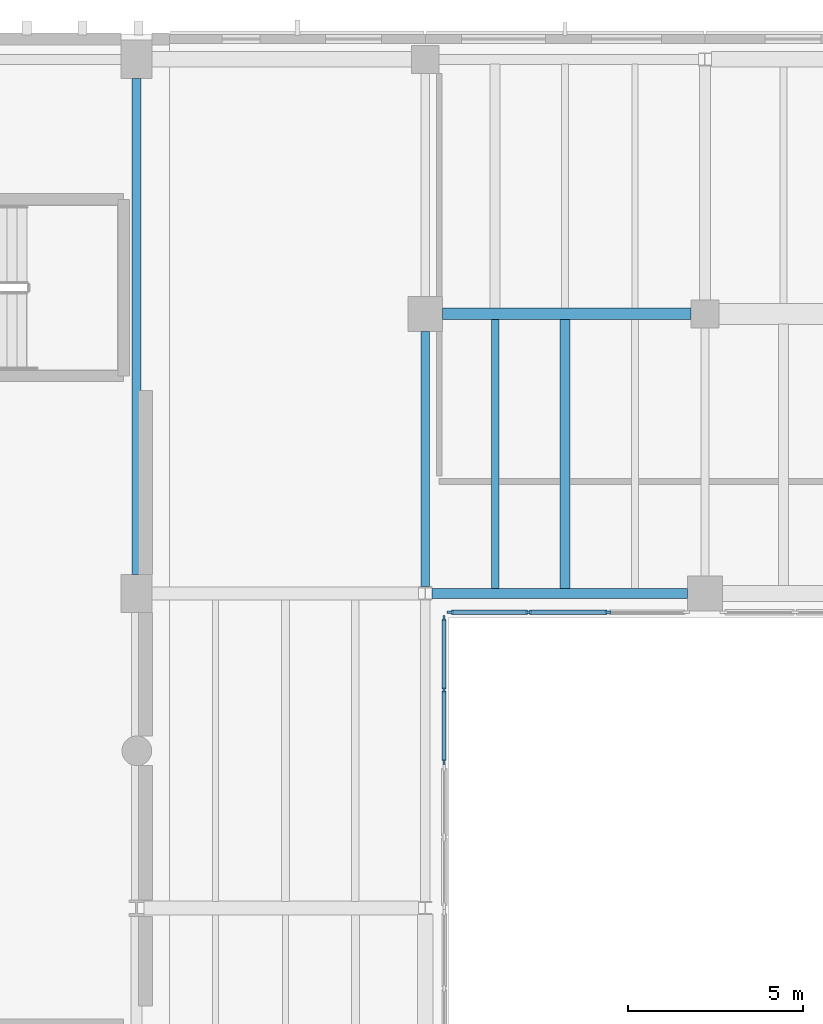
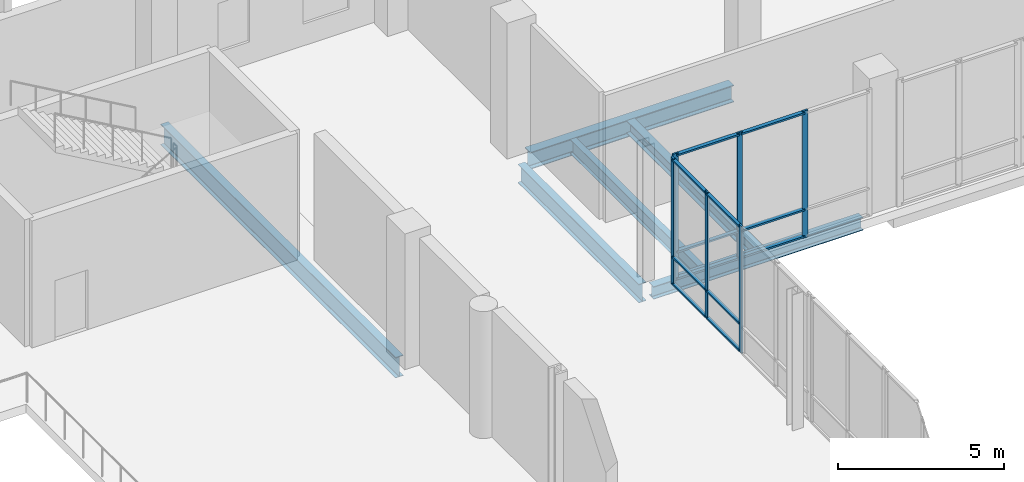
# One storey, part 40 of 81: 18 members, 6 beams, 2 elements without a shape of their own.
"""IFC4 building model written with IfcOpenShell, lengths in metres."""

from ifc_helpers import new_model, si_unit, direction, frame, origin, origin_2d, place, context, subcontext, project, spatial, rectangle, i_section, extrude, material, material_profile, profile_set, type_object, element, aggregate, save


model = new_model("IFC4")

# Units and contexts
model_context = context("Model", 3, precision=1e-05, world=origin(), true_north=direction((0.0, 1.0)))
body_context = subcontext(model_context, "Body", "Model", "MODEL_VIEW")
ifc_project = project(units=[si_unit("LENGTHUNIT", "METRE"), si_unit("AREAUNIT", "SQUARE_METRE"), si_unit("VOLUMEUNIT", "CUBIC_METRE"), si_unit("PLANEANGLEUNIT", "RADIAN"), si_unit("MASSUNIT", "GRAM", prefix="KILO")], contexts=[model_context])

# Site, building, storey
site_placement = place(None, origin())
site = spatial("IfcSite", under=ifc_project, at=site_placement, CompositionType="ELEMENT")
building_placement = place(site_placement, origin())
building = spatial("IfcBuilding", under=site, at=building_placement, Name="Trimount Lyric Opera House", CompositionType="ELEMENT")
storey_placement = place(building_placement, frame((0.0, 0.0, 5.0)))
storey = spatial("IfcBuildingStorey", under=building, at=storey_placement, Name="L01", CompositionType="ELEMENT", Elevation=5.0)

# Beams
ifc_material_1 = material(Name="Steel ASTM A992 Grade 50", Category="steel")
ifc_material_profile_1 = material_profile(ifc_material_1, i_section(OverallWidth=0.26708984375, OverallDepth=0.761962890625, WebThickness=0.014404296875, FlangeThickness=0.021484375, FilletRadius=0.01708984375, at=origin_2d()), Name="W30X116")
ifc_profile_set_1 = profile_set([ifc_material_profile_1], Name="Steel ASTM A992 Grade 50")
beam_type_1 = type_object("IfcBeamType", Name="B-07", PredefinedType="BEAM", material=ifc_profile_set_1)
beam_1_placement = place(storey_placement, frame((113.739990234375, 102.550048828125, -0.7060546875), z_axis=(0.0, 1.0, 0.0), x_axis=(-1.0, 0.0, 0.0)))
element("IfcBeam", 1, at=beam_1_placement, inside=storey, type_object=beam_type_1, Name="L01 girder Y-0669", PredefinedType="BEAM", context=body_context, shape_type="SweptSolid", body=[
    extrude(i_section(OverallWidth=0.26708984375, OverallDepth=0.761962890625, WebThickness=0.014404296875, FlangeThickness=0.021484375, FilletRadius=0.01708984375, at=origin_2d()), origin(), (0.0, 0.0, 1.0), 14.179931640625),
])
ifc_material_2 = material(Name="Steel ASTM A992 Grade 50", Category="steel")
ifc_material_profile_2 = material_profile(ifc_material_2, i_section(OverallWidth=0.25390625, OverallDepth=0.68798828125, WebThickness=0.01318359375, FlangeThickness=0.02099609375, FilletRadius=0.01611328125, at=origin_2d()), Name="W27X102")
ifc_profile_set_2 = profile_set([ifc_material_profile_2], Name="Steel ASTM A992 Grade 50")
beam_type_2 = type_object("IfcBeamType", Name="B-09", PredefinedType="BEAM", material=ifc_profile_set_2)
beam_2_placement = place(storey_placement, frame((122.0, 102.193115234375, -0.654052734375), z_axis=(0.0, 1.0, 0.0), x_axis=(-1.0, 0.0, 0.0)))
element("IfcBeam", 2, at=beam_2_placement, inside=storey, type_object=beam_type_2, Name="L01 girder Y-0676", PredefinedType="BEAM", context=body_context, shape_type="SweptSolid", body=[
    extrude(i_section(OverallWidth=0.25390625, OverallDepth=0.68798828125, WebThickness=0.01318359375, FlangeThickness=0.02099609375, FilletRadius=0.01611328125, at=origin_2d()), origin(), (0.0, 0.0, 1.0), 7.306884765625),
])
ifc_material_3 = material(Name="Steel ASTM A992 Grade 50", Category="steel")
ifc_material_profile_3 = material_profile(ifc_material_3, i_section(OverallWidth=0.327880859375, OverallDepth=0.626953125, WebThickness=0.0166015625, FlangeThickness=0.027587890625, FilletRadius=0.01611328125, at=origin_2d()), Name="W24X146")
ifc_profile_set_3 = profile_set([ifc_material_profile_3], Name="Steel ASTM A992 Grade 50")
beam_type_3 = type_object("IfcBeamType", Name="B-10", PredefinedType="BEAM", material=ifc_profile_set_3)
beam_3_placement = place(storey_placement, frame((122.5, 110.0, -0.62353515625), z_axis=(1.0, 0.0, 0.0), x_axis=(0.0, 1.0, 0.0)))
element("IfcBeam", 3, at=beam_3_placement, inside=storey, type_object=beam_type_3, Name="L01 girder X-0569", PredefinedType="BEAM", context=body_context, shape_type="SweptSolid", body=[
    extrude(i_section(OverallWidth=0.327880859375, OverallDepth=0.626953125, WebThickness=0.0166015625, FlangeThickness=0.027587890625, FilletRadius=0.01611328125, at=origin_2d()), origin(), (0.0, 0.0, 1.0), 7.10009765625),
])
ifc_material_4 = material(Name="Steel ASTM A992 Grade 50", Category="steel")
ifc_material_profile_4 = material_profile(ifc_material_4, i_section(OverallWidth=0.2099609375, OverallDepth=0.532958984375, WebThickness=0.01025390625, FlangeThickness=0.015625, FilletRadius=0.012939453125, at=origin_2d()), Name="W21X62")
ifc_profile_set_4 = profile_set([ifc_material_profile_4], Name="Steel ASTM A992 Grade 50")
beam_type_4 = type_object("IfcBeamType", Name="J-02", PredefinedType="BEAM", material=ifc_profile_set_4)
beam_4_placement = place(storey_placement, frame((124.0, 102.136962890625, -0.576416015625), z_axis=(0.0, 1.0, 0.0), x_axis=(-1.0, 0.0, 0.0)))
element("IfcBeam", 4, at=beam_4_placement, inside=storey, type_object=beam_type_4, Name="L01 composite floor joist 0716", PredefinedType="BEAM", context=body_context, shape_type="SweptSolid", body=[
    extrude(i_section(OverallWidth=0.2099609375, OverallDepth=0.532958984375, WebThickness=0.01025390625, FlangeThickness=0.015625, FilletRadius=0.012939453125, at=origin_2d()), origin(), (0.0, 0.0, 1.0), 7.703125),
])
ifc_material_5 = material(Name="Steel ASTM A992 Grade 50", Category="steel")
ifc_material_profile_5 = material_profile(ifc_material_5, i_section(OverallWidth=0.281982421875, OverallDepth=0.467041015625, WebThickness=0.01220703125, FlangeThickness=0.01953125, FilletRadius=0.012939453125, at=origin_2d()), Name="W18X86")
ifc_profile_set_5 = profile_set([ifc_material_profile_5], Name="Steel ASTM A992 Grade 50")
beam_type_5 = type_object("IfcBeamType", Name="J-03", PredefinedType="BEAM", material=ifc_profile_set_5)
beam_5_placement = place(storey_placement, frame((126.0, 102.136962890625, -0.54345703125), z_axis=(0.0, 1.0, 0.0), x_axis=(-1.0, 0.0, 0.0)))
element("IfcBeam", 5, at=beam_5_placement, inside=storey, type_object=beam_type_5, Name="L01 composite floor joist 0717", PredefinedType="BEAM", context=body_context, shape_type="SweptSolid", body=[
    extrude(i_section(OverallWidth=0.281982421875, OverallDepth=0.467041015625, WebThickness=0.01220703125, FlangeThickness=0.01953125, FilletRadius=0.012939453125, at=origin_2d()), origin(), (0.0, 0.0, 1.0), 7.703125),
])

# Curtain wall, members
ifc_material_6 = material(Name="Thermally Broken Aluminium and Low-E Glass", Category="aluminium")
curtain_wall_type = type_object("IfcCurtainWallType", Name="CW-03", PredefinedType="NOTDEFINED", material=ifc_material_6)
curtain_wall_1_placement = place(storey_placement, origin())
curtain_wall_1 = element("IfcCurtainWall", 6, at=curtain_wall_1_placement, inside=storey, type_object=curtain_wall_type, Name="L01 curtain wall 136", PredefinedType="NOTDEFINED")
ifc_material_7 = material(Name="Anodised Aluminium 6063-T6", Category="aluminium")
ifc_material_profile_6 = material_profile(ifc_material_7, rectangle(XDim=0.06494140625, YDim=0.179931640625, at=origin_2d()), Name="ALU-MULL-65X180")
ifc_profile_set_6 = profile_set([ifc_material_profile_6], Name="Anodised Aluminium 6063-T6")
member_type_1 = type_object("IfcMemberType", Name="ML-02", PredefinedType="MULLION", material=ifc_profile_set_6)
member_1_placement = place(storey_placement, frame((127.2265625, 101.4599609375, 0.0), z_axis=(0.0, 0.0, 1.0), x_axis=(0.0, -1.0, 0.0)))
member_1 = element("IfcMember", 7, at=member_1_placement, type_object=member_type_1, Name="CW-03 mullion 2", PredefinedType="MULLION", context=body_context, shape_type="SweptSolid", body=[
    extrude(rectangle(XDim=0.06494140625, YDim=0.179931640625, at=origin_2d()), origin(), (0.0, 0.0, 1.0), 4.679931640625),
])
member_2_placement = place(storey_placement, frame((124.953369140625, 101.4599609375, 0.0), z_axis=(0.0, 0.0, 1.0), x_axis=(0.0, -1.0, 0.0)))
member_2 = element("IfcMember", 8, at=member_2_placement, type_object=member_type_1, Name="CW-03 mullion 3", PredefinedType="MULLION", context=body_context, shape_type="SweptSolid", body=[
    extrude(rectangle(XDim=0.06494140625, YDim=0.179931640625, at=origin_2d()), origin(), (0.0, 0.0, 1.0), 4.679931640625),
])
member_3_placement = place(storey_placement, frame((122.71240234375, 101.4599609375, 0.0), z_axis=(0.0, 0.0, 1.0), x_axis=(0.0, -1.0, 0.0)))
member_3 = element("IfcMember", 9, at=member_3_placement, type_object=member_type_1, Name="CW-03 mullion 4", PredefinedType="MULLION", context=body_context, shape_type="SweptSolid", body=[
    extrude(rectangle(XDim=0.06494140625, YDim=0.179931640625, at=origin_2d()), origin(), (0.0, 0.0, 1.0), 4.679931640625),
])

curtain_wall_2_placement = place(storey_placement, origin())
curtain_wall_2 = element("IfcCurtainWall", 10, at=curtain_wall_2_placement, inside=storey, type_object=curtain_wall_type, Name="L01 curtain wall 137", PredefinedType="NOTDEFINED")
ifc_material_8 = material(Name="Anodised Aluminium 6063-T6", Category="aluminium")
ifc_material_profile_7 = material_profile(ifc_material_8, rectangle(XDim=0.06005859375, YDim=0.14990234375, at=origin_2d()), Name="ALU-MULL-60X150")
ifc_profile_set_7 = profile_set([ifc_material_profile_7], Name="Anodised Aluminium 6063-T6")
member_type_2 = type_object("IfcMemberType", Name="ML-03", PredefinedType="MULLION", material=ifc_profile_set_7)
member_4_placement = place(storey_placement, frame((122.5400390625, 101.2900390625, 0.0), z_axis=(0.0, 0.0, 1.0), x_axis=(1.0, 0.0, 0.0)))
member_4 = element("IfcMember", 11, at=member_4_placement, type_object=member_type_2, Name="CW-03 mullion 1", PredefinedType="MULLION", context=body_context, shape_type="SweptSolid", body=[
    extrude(rectangle(XDim=0.06005859375, YDim=0.14990234375, at=origin_2d()), origin(), (0.0, 0.0, 1.0), 4.679931640625),
])
member_5_placement = place(storey_placement, frame((122.5400390625, 99.239990234375, 0.0), z_axis=(0.0, 0.0, 1.0), x_axis=(1.0, 0.0, 0.0)))
member_5 = element("IfcMember", 12, at=member_5_placement, type_object=member_type_2, Name="CW-03 mullion 2", PredefinedType="MULLION", context=body_context, shape_type="SweptSolid", body=[
    extrude(rectangle(XDim=0.06005859375, YDim=0.14990234375, at=origin_2d()), origin(), (0.0, 0.0, 1.0), 4.679931640625),
])
member_6_placement = place(storey_placement, frame((122.5400390625, 97.18994140625, 0.0), z_axis=(0.0, 0.0, 1.0), x_axis=(1.0, 0.0, 0.0)))
member_6 = element("IfcMember", 13, at=member_6_placement, type_object=member_type_2, Name="CW-03 mullion 3", PredefinedType="MULLION", context=body_context, shape_type="SweptSolid", body=[
    extrude(rectangle(XDim=0.06005859375, YDim=0.14990234375, at=origin_2d()), origin(), (0.0, 0.0, 1.0), 4.679931640625),
])

# Beam
ifc_material_9 = material(Name="Steel ASTM A992 Grade 50", Category="steel")
ifc_material_profile_8 = material_profile(ifc_material_9, i_section(OverallWidth=0.281982421875, OverallDepth=0.467041015625, WebThickness=0.01220703125, FlangeThickness=0.01953125, FilletRadius=0.012939453125, at=origin_2d()), Name="W18X86")
ifc_profile_set_8 = profile_set([ifc_material_profile_8], Name="Steel ASTM A992 Grade 50")
beam_type_6 = type_object("IfcBeamType", Name="SP-01", PredefinedType="SPANDREL", material=ifc_profile_set_8)
beam_6_placement = place(storey_placement, frame((122.199462890625, 102.0, -0.54345703125), z_axis=(1.0, 0.0, 0.0), x_axis=(0.0, 1.0, 0.0)))
element("IfcBeam", 14, at=beam_6_placement, inside=storey, type_object=beam_type_6, Name="L01 girder X-0557", PredefinedType="SPANDREL", context=body_context, shape_type="SweptSolid", body=[
    extrude(i_section(OverallWidth=0.281982421875, OverallDepth=0.467041015625, WebThickness=0.01220703125, FlangeThickness=0.01953125, FilletRadius=0.012939453125, at=origin_2d()), origin(), (0.0, 0.0, 1.0), 7.300537109375),
])

# Member
ifc_material_10 = material(Name="Anodised Aluminium 6063-T6", Category="aluminium")
ifc_material_profile_9 = material_profile(ifc_material_10, rectangle(XDim=0.135009765625, YDim=0.06494140625, at=origin_2d()), Name="ALU-TRAN-65X135")
ifc_profile_set_9 = profile_set([ifc_material_profile_9], Name="Anodised Aluminium 6063-T6")
member_type_3 = type_object("IfcMemberType", Name="TR-02", PredefinedType="USERDEFINED", material=ifc_profile_set_9)
member_7_placement = place(storey_placement, frame((127.194091796875, 101.4599609375, 0.0673828125), z_axis=(-1.0, 0.0, 0.0), x_axis=(0.0, -1.0, 0.0)))
member_7 = element("IfcMember", 15, at=member_7_placement, type_object=member_type_3, Name="CW-03 transom 2.1", ObjectType="TRANSOM", PredefinedType="USERDEFINED", context=body_context, shape_type="SweptSolid", body=[
    extrude(rectangle(XDim=0.135009765625, YDim=0.06494140625, at=origin_2d()), origin(), (0.0, 0.0, 1.0), 2.208251953125),
])

member_8_placement = place(storey_placement, frame((127.194091796875, 101.4599609375, 1.050048828125), z_axis=(-1.0, 0.0, 0.0), x_axis=(0.0, -1.0, 0.0)))
member_8 = element("IfcMember", 16, at=member_8_placement, type_object=member_type_3, Name="CW-03 transom 2.2", ObjectType="TRANSOM", PredefinedType="USERDEFINED", context=body_context, shape_type="SweptSolid", body=[
    extrude(rectangle(XDim=0.135009765625, YDim=0.06494140625, at=origin_2d()), origin(), (0.0, 0.0, 1.0), 2.208251953125),
])

member_9_placement = place(storey_placement, frame((127.194091796875, 101.4599609375, 4.612548828125), z_axis=(-1.0, 0.0, 0.0), x_axis=(0.0, -1.0, 0.0)))
member_9 = element("IfcMember", 17, at=member_9_placement, type_object=member_type_3, Name="CW-03 transom 2.3", ObjectType="TRANSOM", PredefinedType="USERDEFINED", context=body_context, shape_type="SweptSolid", body=[
    extrude(rectangle(XDim=0.135009765625, YDim=0.06494140625, at=origin_2d()), origin(), (0.0, 0.0, 1.0), 2.208251953125),
])

member_10_placement = place(storey_placement, frame((124.9208984375, 101.4599609375, 0.0673828125), z_axis=(-1.0, 0.0, 0.0), x_axis=(0.0, -1.0, 0.0)))
member_10 = element("IfcMember", 18, at=member_10_placement, type_object=member_type_3, Name="CW-03 transom 3.1", ObjectType="TRANSOM", PredefinedType="USERDEFINED", context=body_context, shape_type="SweptSolid", body=[
    extrude(rectangle(XDim=0.135009765625, YDim=0.06494140625, at=origin_2d()), origin(), (0.0, 0.0, 1.0), 2.17578125),
])

member_11_placement = place(storey_placement, frame((124.9208984375, 101.4599609375, 1.050048828125), z_axis=(-1.0, 0.0, 0.0), x_axis=(0.0, -1.0, 0.0)))
member_11 = element("IfcMember", 19, at=member_11_placement, type_object=member_type_3, Name="CW-03 transom 3.2", ObjectType="TRANSOM", PredefinedType="USERDEFINED", context=body_context, shape_type="SweptSolid", body=[
    extrude(rectangle(XDim=0.135009765625, YDim=0.06494140625, at=origin_2d()), origin(), (0.0, 0.0, 1.0), 2.17578125),
])

member_12_placement = place(storey_placement, frame((124.9208984375, 101.4599609375, 4.612548828125), z_axis=(-1.0, 0.0, 0.0), x_axis=(0.0, -1.0, 0.0)))
member_12 = element("IfcMember", 20, at=member_12_placement, type_object=member_type_3, Name="CW-03 transom 3.3", ObjectType="TRANSOM", PredefinedType="USERDEFINED", context=body_context, shape_type="SweptSolid", body=[
    extrude(rectangle(XDim=0.135009765625, YDim=0.06494140625, at=origin_2d()), origin(), (0.0, 0.0, 1.0), 2.17578125),
])

aggregate(curtain_wall_1, [member_1, member_2, member_3, member_7, member_8, member_9, member_10, member_11, member_12])

ifc_material_11 = material(Name="Anodised Aluminium 6063-T6", Category="aluminium")
ifc_material_profile_10 = material_profile(ifc_material_11, rectangle(XDim=0.114990234375, YDim=0.06005859375, at=origin_2d()), Name="ALU-TRAN-60X115")
ifc_profile_set_10 = profile_set([ifc_material_profile_10], Name="Anodised Aluminium 6063-T6")
member_type_4 = type_object("IfcMemberType", Name="TR-03", PredefinedType="USERDEFINED", material=ifc_profile_set_10)
member_13_placement = place(storey_placement, frame((122.5400390625, 101.260009765625, 0.0576171875), z_axis=(0.0, -1.0, 0.0), x_axis=(1.0, 0.0, 0.0)))
member_13 = element("IfcMember", 21, at=member_13_placement, type_object=member_type_4, Name="CW-03 transom 1.1", ObjectType="TRANSOM", PredefinedType="USERDEFINED", context=body_context, shape_type="SweptSolid", body=[
    extrude(rectangle(XDim=0.114990234375, YDim=0.06005859375, at=origin_2d()), origin(), (0.0, 0.0, 1.0), 1.989990234375),
])

member_14_placement = place(storey_placement, frame((122.5400390625, 101.260009765625, 1.050048828125), z_axis=(0.0, -1.0, 0.0), x_axis=(1.0, 0.0, 0.0)))
member_14 = element("IfcMember", 22, at=member_14_placement, type_object=member_type_4, Name="CW-03 transom 1.2", ObjectType="TRANSOM", PredefinedType="USERDEFINED", context=body_context, shape_type="SweptSolid", body=[
    extrude(rectangle(XDim=0.114990234375, YDim=0.06005859375, at=origin_2d()), origin(), (0.0, 0.0, 1.0), 1.989990234375),
])

member_15_placement = place(storey_placement, frame((122.5400390625, 101.260009765625, 4.62255859375), z_axis=(0.0, -1.0, 0.0), x_axis=(1.0, 0.0, 0.0)))
member_15 = element("IfcMember", 23, at=member_15_placement, type_object=member_type_4, Name="CW-03 transom 1.3", ObjectType="TRANSOM", PredefinedType="USERDEFINED", context=body_context, shape_type="SweptSolid", body=[
    extrude(rectangle(XDim=0.114990234375, YDim=0.06005859375, at=origin_2d()), origin(), (0.0, 0.0, 1.0), 1.989990234375),
])

member_16_placement = place(storey_placement, frame((122.5400390625, 99.2099609375, 0.0576171875), z_axis=(0.0, -1.0, 0.0), x_axis=(1.0, 0.0, 0.0)))
member_16 = element("IfcMember", 24, at=member_16_placement, type_object=member_type_4, Name="CW-03 transom 2.1", ObjectType="TRANSOM", PredefinedType="USERDEFINED", context=body_context, shape_type="SweptSolid", body=[
    extrude(rectangle(XDim=0.114990234375, YDim=0.06005859375, at=origin_2d()), origin(), (0.0, 0.0, 1.0), 1.989990234375),
])

member_17_placement = place(storey_placement, frame((122.5400390625, 99.2099609375, 1.050048828125), z_axis=(0.0, -1.0, 0.0), x_axis=(1.0, 0.0, 0.0)))
member_17 = element("IfcMember", 25, at=member_17_placement, type_object=member_type_4, Name="CW-03 transom 2.2", ObjectType="TRANSOM", PredefinedType="USERDEFINED", context=body_context, shape_type="SweptSolid", body=[
    extrude(rectangle(XDim=0.114990234375, YDim=0.06005859375, at=origin_2d()), origin(), (0.0, 0.0, 1.0), 1.989990234375),
])

member_18_placement = place(storey_placement, frame((122.5400390625, 99.2099609375, 4.62255859375), z_axis=(0.0, -1.0, 0.0), x_axis=(1.0, 0.0, 0.0)))
member_18 = element("IfcMember", 26, at=member_18_placement, type_object=member_type_4, Name="CW-03 transom 2.3", ObjectType="TRANSOM", PredefinedType="USERDEFINED", context=body_context, shape_type="SweptSolid", body=[
    extrude(rectangle(XDim=0.114990234375, YDim=0.06005859375, at=origin_2d()), origin(), (0.0, 0.0, 1.0), 1.989990234375),
])

aggregate(curtain_wall_2, [member_4, member_5, member_6, member_13, member_14, member_15, member_16, member_17, member_18])

save(model, "model.ifc")
